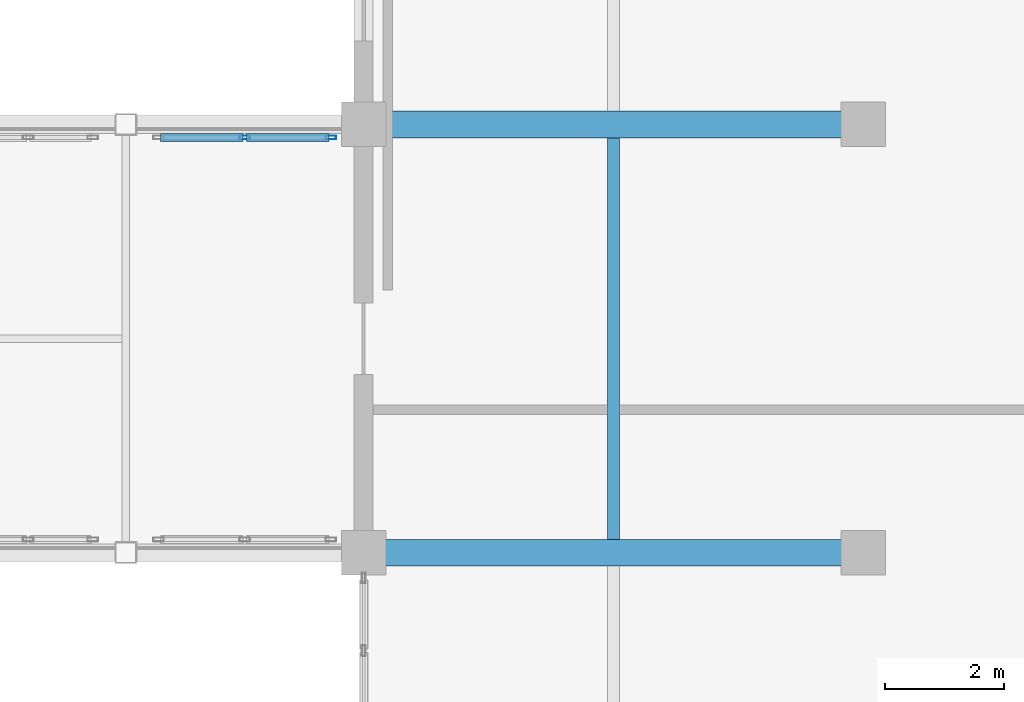
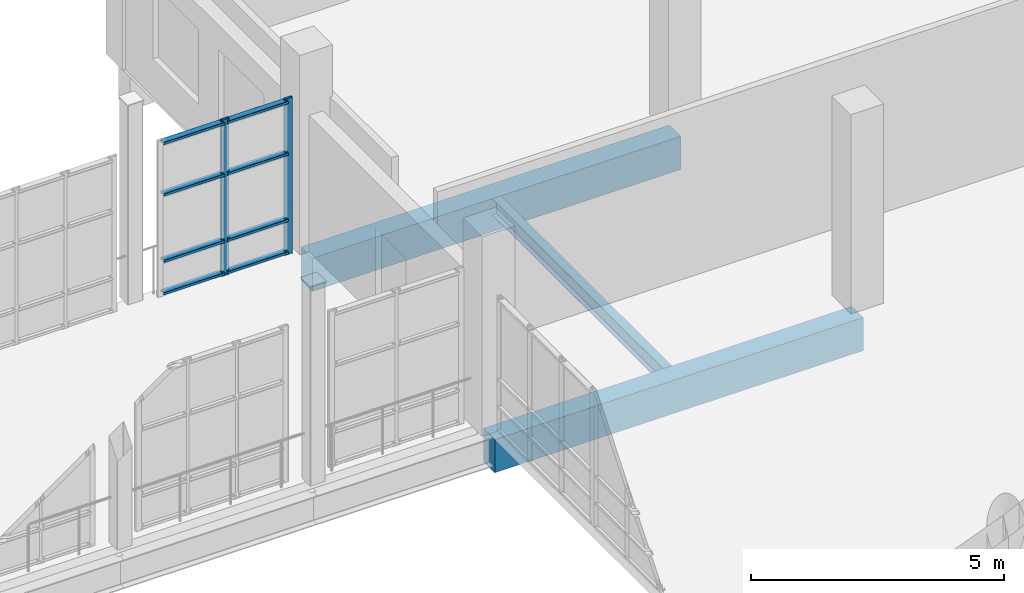
# One storey, part 34 of 106: 10 members, 3 beams, 1 element without a shape of its own.
"""IFC4 building model written with IfcOpenShell, lengths in metres."""

import ifcopenshell
import ifcopenshell.guid

model = None  # the IFC model being written
_history = None  # IfcOwnerHistory: only IFC2X3 demands one
_inside = {}  # id of a spatial element -> (the spatial element, [elements in it])
_under = {}  # id of a project, library or spatial element -> (it, [spatial elements below it])
_declared = {}  # id of a project -> (the project, [libraries it declares])
_typed = {}  # id of a type object -> (the type object, [elements of that type])
_made_of = {}  # id of a material, layer set ... -> (it, [elements and type objects made of it])


def new_model(schema):
    """Start an empty IFC model of exactly this schema.

    Asked for "IFC4X3", IfcOpenShell would pick the latest addendum, in which some entities
    have other attributes; the version numbers below select the first issue.
    IFC2X3 requires an IfcOwnerHistory on every rooted entity: one is made here for all.
    """
    global model, _history
    if schema == "IFC4X3":
        model = ifcopenshell.file(schema_version=(4, 3, 0, 0))
    else:
        model = ifcopenshell.file(schema=schema)
    _inside.clear()
    _under.clear()
    _declared.clear()
    _typed.clear()
    _made_of.clear()
    _history = None
    if model.schema == "IFC2X3":
        org = make("IfcOrganization", Name="unknown")
        user = make(
            "IfcPersonAndOrganization",
            ThePerson=make("IfcPerson", FamilyName="unknown"),
            TheOrganization=org,
        )
        app = make(
            "IfcApplication",
            ApplicationDeveloper=org,
            Version="unknown",
            ApplicationFullName="unknown",
            ApplicationIdentifier="unknown",
        )
        _history = make(
            "IfcOwnerHistory",
            OwningUser=user,
            OwningApplication=app,
            ChangeAction="ADDED",
            CreationDate=0,
        )
    return model


def make(cls, **values):
    """One entity of the class cls with the attributes given. An attribute that is None is left unset."""
    return model.create_entity(
        cls, **{name: value for name, value in values.items() if value is not None}
    )


def rooted(cls, **values):
    """An entity with a GlobalId (a new one), such as an element, a storey or a relation."""
    return make(cls, GlobalId=ifcopenshell.guid.new(), OwnerHistory=_history, **values)


def si_unit(unit_type, name, prefix=None):
    """IfcSIUnit, for example si_unit("LENGTHUNIT", "METRE", prefix="MILLI")."""
    return make("IfcSIUnit", UnitType=unit_type, Prefix=prefix, Name=name)


def assignment(units):
    """IfcUnitAssignment: the units of a project."""
    return None if units is None else make("IfcUnitAssignment", Units=units)


def point(xyz):
    """IfcCartesianPoint."""
    return None if xyz is None else make("IfcCartesianPoint", Coordinates=xyz)


def direction(xyz):
    """IfcDirection."""
    return None if xyz is None else make("IfcDirection", DirectionRatios=xyz)


def frame(location, z_axis=None, x_axis=None):
    """IfcAxis2Placement3D, a coordinate frame: its origin and axes. An axis left out is left unset."""
    return make(
        "IfcAxis2Placement3D",
        Location=point(location),
        Axis=direction(z_axis),
        RefDirection=direction(x_axis),
    )


def frame_2d(location, x_axis=None):
    """IfcAxis2Placement2D, a coordinate frame in the plane: its origin and x axis."""
    return make(
        "IfcAxis2Placement2D", Location=point(location), RefDirection=direction(x_axis)
    )


def origin():
    """The frame at (0, 0, 0) with its axes left unset."""
    return frame((0.0, 0.0, 0.0))


def origin_2d():
    """The frame at (0, 0) in the plane with its x axis left unset."""
    return frame_2d((0.0, 0.0))


def place(relative_to, where):
    """IfcLocalPlacement: puts the frame where relative to a parent placement (None: the world)."""
    return make(
        "IfcLocalPlacement", PlacementRelTo=relative_to, RelativePlacement=where
    )


def context(
    kind, dimensions, precision=None, world=None, true_north=None, identifier=None
):
    """IfcGeometricRepresentationContext, for example the 3D "Model" context."""
    return make(
        "IfcGeometricRepresentationContext",
        ContextIdentifier=identifier,
        ContextType=kind,
        CoordinateSpaceDimension=dimensions,
        Precision=precision,
        WorldCoordinateSystem=world,
        TrueNorth=true_north,
    )


def subcontext(parent, identifier, kind, view, scale=None):
    """IfcGeometricRepresentationSubContext, for example "Body" below "Model"."""
    return make(
        "IfcGeometricRepresentationSubContext",
        ContextIdentifier=identifier,
        ContextType=kind,
        ParentContext=parent,
        TargetScale=scale,
        TargetView=view,
    )


def project(units=None, contexts=None):
    """IfcProject with its units and contexts."""
    return rooted(
        "IfcProject",
        Name="project",
        RepresentationContexts=contexts,
        UnitsInContext=assignment(units),
    )


def spatial(cls, under=None, at=None, **own):
    """A site, building, storey or space (cls), placed at a placement, below another one or the project."""
    s = rooted(cls, ObjectPlacement=at, **own)
    if under is not None:
        _under.setdefault(under.id(), (under, []))[1].append(s)
    return s


def profile(cls, at=None, kind="AREA", **sizes):
    """A parametric profile (cls). Its sizes go by their IFC names, for example OverallWidth=200.0."""
    return make(cls, ProfileType=kind, Position=at, **sizes)


def rectangle(**sizes):
    """IfcRectangleProfileDef."""
    return profile("IfcRectangleProfileDef", **sizes)


def hollow_rectangle(**sizes):
    """IfcRectangleHollowProfileDef."""
    return profile("IfcRectangleHollowProfileDef", **sizes)


def i_section(**sizes):
    """IfcIShapeProfileDef."""
    return profile("IfcIShapeProfileDef", **sizes)


def extrude(swept, where, along, depth):
    """IfcExtrudedAreaSolid: the profile swept, set in the frame where, extruded along a direction by depth."""
    return make(
        "IfcExtrudedAreaSolid",
        SweptArea=swept,
        Position=where,
        ExtrudedDirection=direction(along),
        Depth=depth,
    )


def shape(context_of_items, identifier, shape_type, items):
    """IfcShapeRepresentation: the items that make up one representation, for example the "Body"."""
    return make(
        "IfcShapeRepresentation",
        ContextOfItems=context_of_items,
        RepresentationIdentifier=identifier,
        RepresentationType=shape_type,
        Items=items,
    )


def material(Name=None, Category=None):
    """IfcMaterial."""
    return make("IfcMaterial", Name=Name, Category=Category)


def layer(
    of_material, thickness, ventilated=None, Name=None, Category=None, Priority=None
):
    """IfcMaterialLayer: one layer of a wall or slab, of a material (None: an air gap)."""
    return make(
        "IfcMaterialLayer",
        Material=of_material,
        LayerThickness=thickness,
        IsVentilated=ventilated,
        Name=Name,
        Category=Category,
        Priority=Priority,
    )


def layer_set(layers, Name=None):
    """IfcMaterialLayerSet."""
    return make("IfcMaterialLayerSet", MaterialLayers=layers, LayerSetName=Name)


def material_profile(
    of_material, cross_section, Name=None, Category=None, Priority=None
):
    """IfcMaterialProfile: a cross section and its material."""
    return make(
        "IfcMaterialProfile",
        Name=Name,
        Material=of_material,
        Profile=cross_section,
        Priority=Priority,
        Category=Category,
    )


def profile_set(profiles, Name=None, composite=None):
    """IfcMaterialProfileSet."""
    return make(
        "IfcMaterialProfileSet",
        Name=Name,
        MaterialProfiles=profiles,
        CompositeProfile=composite,
    )


def made_of(thing, what):
    """Note that an element or type object is made of a material, layer set ...; save() writes the relation."""
    if what is not None:
        _made_of.setdefault(what.id(), (what, []))[1].append(thing)
    return thing


def type_object(cls, material=None, **own):
    """A type object (cls), such as IfcWallType, which elements share."""
    return made_of(rooted(cls, **own), material)


def element(
    cls,
    number,
    at=None,
    inside=None,
    cuts=None,
    type_object=None,
    material=None,
    context=None,
    identifier="Body",
    shape_type=None,
    held_by="IfcProductDefinitionShape",
    body=None,
    shapes=None,
    **own,
):
    """One element of the class cls, such as IfcWall. Its Tag is "e" and its number.

    at: its placement. inside: the storey or other place that contains it. cuts: it is an
    opening in that element (IfcRelVoidsElement). A single representation is given by context,
    identifier, shape_type and body (its items); several are given by shapes. held_by: the class
    of the entity that holds the representations. save() writes the other relations.
    """
    e = rooted(cls, Tag="e%d" % number, ObjectPlacement=at, **own)
    if body is not None:
        shapes = [shape(context, identifier, shape_type, body)]
    if shapes is not None:
        e.Representation = make(held_by, Representations=shapes)
    if inside is not None:
        _inside.setdefault(inside.id(), (inside, []))[1].append(e)
    if cuts is not None:
        rooted(
            "IfcRelVoidsElement", RelatingBuildingElement=cuts, RelatedOpeningElement=e
        )
    if type_object is not None:
        _typed.setdefault(type_object.id(), (type_object, []))[1].append(e)
    return made_of(e, material)


def aggregate(whole, parts):
    """IfcRelAggregates: a whole, such as a stair, and the parts it consists of."""
    return rooted("IfcRelAggregates", RelatingObject=whole, RelatedObjects=parts)


def save(model, path):
    """Write the relations noted so far, then the file.

    IfcRelAggregates (storeys below a building ...), IfcRelContainedInSpatialStructure (elements
    in a storey), IfcRelDefinesByType, IfcRelAssociatesMaterial and IfcRelDeclares: one each for
    every whole, place, type object, material and project.
    """
    for whole, parts in _under.values():
        aggregate(whole, parts)
    for where, things in _inside.values():
        rooted(
            "IfcRelContainedInSpatialStructure",
            RelatedElements=things,
            RelatingStructure=where,
        )
    for kind, things in _typed.values():
        rooted("IfcRelDefinesByType", RelatedObjects=things, RelatingType=kind)
    for what, things in _made_of.values():
        rooted("IfcRelAssociatesMaterial", RelatedObjects=things, RelatingMaterial=what)
    for by, libraries in _declared.values():
        rooted("IfcRelDeclares", RelatingContext=by, RelatedDefinitions=libraries)
    model.write(path)


model = new_model("IFC4")

# Units and contexts
model_context = context("Model", 3, precision=1e-05, world=origin(), true_north=direction((0.0, 1.0)))
body_context = subcontext(model_context, "Body", "Model", "MODEL_VIEW")
ifc_project = project(units=[si_unit("LENGTHUNIT", "METRE"), si_unit("AREAUNIT", "SQUARE_METRE"), si_unit("VOLUMEUNIT", "CUBIC_METRE"), si_unit("PLANEANGLEUNIT", "RADIAN"), si_unit("MASSUNIT", "GRAM", prefix="KILO")], contexts=[model_context])

# Site, building, storey
site_placement = place(None, origin())
site = spatial("IfcSite", under=ifc_project, at=site_placement, CompositionType="ELEMENT")
building_placement = place(site_placement, origin())
building = spatial("IfcBuilding", under=site, at=building_placement, Name="Kisaragi Civic Commons", CompositionType="ELEMENT")
storey_placement = place(building_placement, frame((0.0, 0.0, 4.800048828125)))
storey = spatial("IfcBuildingStorey", under=building, at=storey_placement, Name="L01", CompositionType="ELEMENT", Elevation=4.800048828125)

# Curtain wall, members
ifc_material_1 = material(Name="Thermally broken anodized aluminium and low-E double glazing", Category="aluminium")
ifc_layer = layer(ifc_material_1, 0.179931640625, Name="Thermally broken anodized aluminium and low-E double glazing", Category="aluminium")
ifc_layer_set = layer_set([ifc_layer], Name="Thermally broken anodized aluminium and low-E double glazing")
curtain_wall_type = type_object("IfcCurtainWallType", Name="CW-04", PredefinedType="NOTDEFINED", material=ifc_layer_set)
curtain_wall_placement = place(storey_placement, origin())
curtain_wall = element("IfcCurtainWall", 1, at=curtain_wall_placement, inside=storey, type_object=curtain_wall_type, Name="L01 curtain wall CW-04 CW-BR-124", PredefinedType="NOTDEFINED")
ifc_material_profile_1 = material_profile(ifc_material_1, hollow_rectangle(XDim=0.06494140625, YDim=0.179931640625, WallThickness=0.00439453125, InnerFilletRadius=0.00439453125, OuterFilletRadius=0.009033203125, at=origin_2d()), Name="CWM-65x180x4.5", Category="aluminium")
ifc_profile_set_1 = profile_set([ifc_material_profile_1], Name="Thermally broken anodized aluminium and low-E double glazing")
member_type_1 = type_object("IfcMemberType", Name="CWM-02", PredefinedType="MULLION", material=ifc_profile_set_1)
member_1_placement = place(storey_placement, frame((70.0, 111.3798828125, 0.0), z_axis=(0.0, 0.0, 1.0), x_axis=(0.0, 1.0, 0.0)))
member_1 = element("IfcMember", 2, at=member_1_placement, type_object=member_type_1, Name="CW-04 mullion 2", PredefinedType="MULLION", context=body_context, shape_type="SweptSolid", body=[
    extrude(hollow_rectangle(XDim=0.06494140625, YDim=0.179931640625, WallThickness=0.00439453125, InnerFilletRadius=0.00439453125, OuterFilletRadius=0.009033203125, at=origin_2d()), origin(), (0.0, 0.0, 1.0), 3.760009765625),
])
member_2_placement = place(storey_placement, frame((71.447509765625, 111.3798828125, 0.0), z_axis=(0.0, 0.0, 1.0), x_axis=(0.0, 1.0, 0.0)))
member_2 = element("IfcMember", 3, at=member_2_placement, type_object=member_type_1, Name="CW-04 mullion 3", PredefinedType="MULLION", context=body_context, shape_type="SweptSolid", body=[
    extrude(hollow_rectangle(XDim=0.06494140625, YDim=0.179931640625, WallThickness=0.00439453125, InnerFilletRadius=0.00439453125, OuterFilletRadius=0.009033203125, at=origin_2d()), origin(), (0.0, 0.0, 1.0), 3.760009765625),
])
ifc_material_profile_2 = material_profile(ifc_material_1, hollow_rectangle(XDim=0.139892578125, YDim=0.06494140625, WallThickness=0.00439453125, InnerFilletRadius=0.00439453125, OuterFilletRadius=0.009033203125, at=origin_2d()), Name="CWT-65x140x4.5", Category="aluminium")
ifc_profile_set_2 = profile_set([ifc_material_profile_2], Name="Thermally broken anodized aluminium and low-E double glazing")
member_type_2 = type_object("IfcMemberType", Name="CWT-02", PredefinedType="USERDEFINED", material=ifc_profile_set_2)
member_3_placement = place(storey_placement, frame((68.5849609375, 111.3798828125, 0.070068359375), z_axis=(1.0, 0.0, 0.0), x_axis=(0.0, 1.0, 0.0)))
member_3 = element("IfcMember", 4, at=member_3_placement, type_object=member_type_2, Name="CW-04 transom 1.1", ObjectType="TRANSOM", PredefinedType="USERDEFINED", context=body_context, shape_type="SweptSolid", body=[
    extrude(hollow_rectangle(XDim=0.139892578125, YDim=0.06494140625, WallThickness=0.00439453125, InnerFilletRadius=0.00439453125, OuterFilletRadius=0.009033203125, at=origin_2d()), origin(), (0.0, 0.0, 1.0), 1.382568359375),
])
member_4_placement = place(storey_placement, frame((68.5849609375, 111.3798828125, 0.849853515625), z_axis=(1.0, 0.0, 0.0), x_axis=(0.0, 1.0, 0.0)))
member_4 = element("IfcMember", 5, at=member_4_placement, type_object=member_type_2, Name="CW-04 transom 1.2", ObjectType="TRANSOM", PredefinedType="USERDEFINED", context=body_context, shape_type="SweptSolid", body=[
    extrude(hollow_rectangle(XDim=0.139892578125, YDim=0.06494140625, WallThickness=0.00439453125, InnerFilletRadius=0.00439453125, OuterFilletRadius=0.009033203125, at=origin_2d()), origin(), (0.0, 0.0, 1.0), 1.382568359375),
])
member_5_placement = place(storey_placement, frame((68.5849609375, 111.3798828125, 2.449951171875), z_axis=(1.0, 0.0, 0.0), x_axis=(0.0, 1.0, 0.0)))
member_5 = element("IfcMember", 6, at=member_5_placement, type_object=member_type_2, Name="CW-04 transom 1.3", ObjectType="TRANSOM", PredefinedType="USERDEFINED", context=body_context, shape_type="SweptSolid", body=[
    extrude(hollow_rectangle(XDim=0.139892578125, YDim=0.06494140625, WallThickness=0.00439453125, InnerFilletRadius=0.00439453125, OuterFilletRadius=0.009033203125, at=origin_2d()), origin(), (0.0, 0.0, 1.0), 1.382568359375),
])
member_6_placement = place(storey_placement, frame((68.5849609375, 111.3798828125, 3.68994140625), z_axis=(1.0, 0.0, 0.0), x_axis=(0.0, 1.0, 0.0)))
member_6 = element("IfcMember", 7, at=member_6_placement, type_object=member_type_2, Name="CW-04 transom 1.4", ObjectType="TRANSOM", PredefinedType="USERDEFINED", context=body_context, shape_type="SweptSolid", body=[
    extrude(hollow_rectangle(XDim=0.139892578125, YDim=0.06494140625, WallThickness=0.00439453125, InnerFilletRadius=0.00439453125, OuterFilletRadius=0.009033203125, at=origin_2d()), origin(), (0.0, 0.0, 1.0), 1.382568359375),
])
member_7_placement = place(storey_placement, frame((70.032470703125, 111.3798828125, 0.070068359375), z_axis=(1.0, 0.0, 0.0), x_axis=(0.0, 1.0, 0.0)))
member_7 = element("IfcMember", 8, at=member_7_placement, type_object=member_type_2, Name="CW-04 transom 2.1", ObjectType="TRANSOM", PredefinedType="USERDEFINED", context=body_context, shape_type="SweptSolid", body=[
    extrude(hollow_rectangle(XDim=0.139892578125, YDim=0.06494140625, WallThickness=0.00439453125, InnerFilletRadius=0.00439453125, OuterFilletRadius=0.009033203125, at=origin_2d()), origin(), (0.0, 0.0, 1.0), 1.382568359375),
])
member_8_placement = place(storey_placement, frame((70.032470703125, 111.3798828125, 0.849853515625), z_axis=(1.0, 0.0, 0.0), x_axis=(0.0, 1.0, 0.0)))
member_8 = element("IfcMember", 9, at=member_8_placement, type_object=member_type_2, Name="CW-04 transom 2.2", ObjectType="TRANSOM", PredefinedType="USERDEFINED", context=body_context, shape_type="SweptSolid", body=[
    extrude(hollow_rectangle(XDim=0.139892578125, YDim=0.06494140625, WallThickness=0.00439453125, InnerFilletRadius=0.00439453125, OuterFilletRadius=0.009033203125, at=origin_2d()), origin(), (0.0, 0.0, 1.0), 1.382568359375),
])
member_9_placement = place(storey_placement, frame((70.032470703125, 111.3798828125, 2.449951171875), z_axis=(1.0, 0.0, 0.0), x_axis=(0.0, 1.0, 0.0)))
member_9 = element("IfcMember", 10, at=member_9_placement, type_object=member_type_2, Name="CW-04 transom 2.3", ObjectType="TRANSOM", PredefinedType="USERDEFINED", context=body_context, shape_type="SweptSolid", body=[
    extrude(hollow_rectangle(XDim=0.139892578125, YDim=0.06494140625, WallThickness=0.00439453125, InnerFilletRadius=0.00439453125, OuterFilletRadius=0.009033203125, at=origin_2d()), origin(), (0.0, 0.0, 1.0), 1.382568359375),
])
member_10_placement = place(storey_placement, frame((70.032470703125, 111.3798828125, 3.68994140625), z_axis=(1.0, 0.0, 0.0), x_axis=(0.0, 1.0, 0.0)))
member_10 = element("IfcMember", 11, at=member_10_placement, type_object=member_type_2, Name="CW-04 transom 2.4", ObjectType="TRANSOM", PredefinedType="USERDEFINED", context=body_context, shape_type="SweptSolid", body=[
    extrude(hollow_rectangle(XDim=0.139892578125, YDim=0.06494140625, WallThickness=0.00439453125, InnerFilletRadius=0.00439453125, OuterFilletRadius=0.009033203125, at=origin_2d()), origin(), (0.0, 0.0, 1.0), 1.382568359375),
])
aggregate(curtain_wall, [member_1, member_2, member_3, member_4, member_5, member_6, member_7, member_8, member_9, member_10])

# Beams
ifc_material_2 = material(Name="Concrete Fc30", Category="concrete")
ifc_material_profile_3 = material_profile(ifc_material_2, rectangle(XDim=0.449951171875, YDim=0.800048828125, at=origin_2d()), Name="RC-450x800", Category="concrete")
ifc_profile_set_3 = profile_set([ifc_material_profile_3], Name="Concrete Fc30")
beam_type_1 = type_object("IfcBeamType", Name="G-03", PredefinedType="BEAM", material=ifc_profile_set_3)
for number, where, z_axis, x_axis, name in (
    (12, (72.0, 104.39990234375, -0.705078125), (1.0, 0.0, 0.0), (0.0, 1.0, 0.0), "L01 girder G-03 226"),
    (13, (72.0, 111.60009765625, -0.705078125), (1.0, 0.0, 0.0), (0.0, 1.0, 0.0), "L01 girder G-03 231"),
):
    element("IfcBeam", number, at=place(storey_placement, frame(where, z_axis=z_axis, x_axis=x_axis)), inside=storey, type_object=beam_type_1, Name=name, PredefinedType="BEAM", context=body_context, shape_type="SweptSolid", body=[
        extrude(rectangle(XDim=0.449951171875, YDim=0.800048828125, at=origin_2d()), origin(), (0.0, 0.0, 1.0), 8.39990234375),
    ])
ifc_material_3 = material(Name="Steel SN400 (SN400B)", Category="steel")
ifc_material_profile_4 = material_profile(ifc_material_3, i_section(OverallWidth=0.199951171875, OverallDepth=0.39990234375, WebThickness=0.008056640625, FlangeThickness=0.012939453125, FilletRadius=0.012939453125, at=origin_2d()), Name="H-400x200x8x13", Category="steel")
ifc_profile_set_4 = profile_set([ifc_material_profile_4], Name="Steel SN400 (SN400B)")
beam_type_2 = type_object("IfcBeamType", Name="J-01", PredefinedType="JOIST", material=ifc_profile_set_4)
beam_placement = place(storey_placement, frame((76.199951171875, 104.625, -0.505126953125), z_axis=(0.0, 1.0, 0.0), x_axis=(-1.0, 0.0, 0.0)))
element("IfcBeam", 14, at=beam_placement, inside=storey, type_object=beam_type_2, Name="L01 secondary steel joist J-01 47", PredefinedType="JOIST", context=body_context, shape_type="SweptSolid", body=[
    extrude(i_section(OverallWidth=0.199951171875, OverallDepth=0.39990234375, WebThickness=0.008056640625, FlangeThickness=0.012939453125, FilletRadius=0.012939453125, at=origin_2d()), origin(), (0.0, 0.0, 1.0), 6.75),
])

save(model, "model.ifc")
